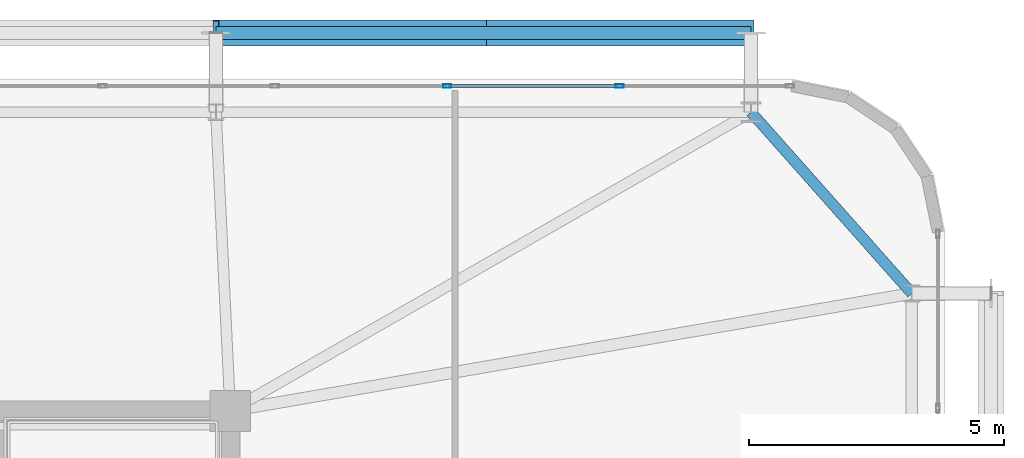
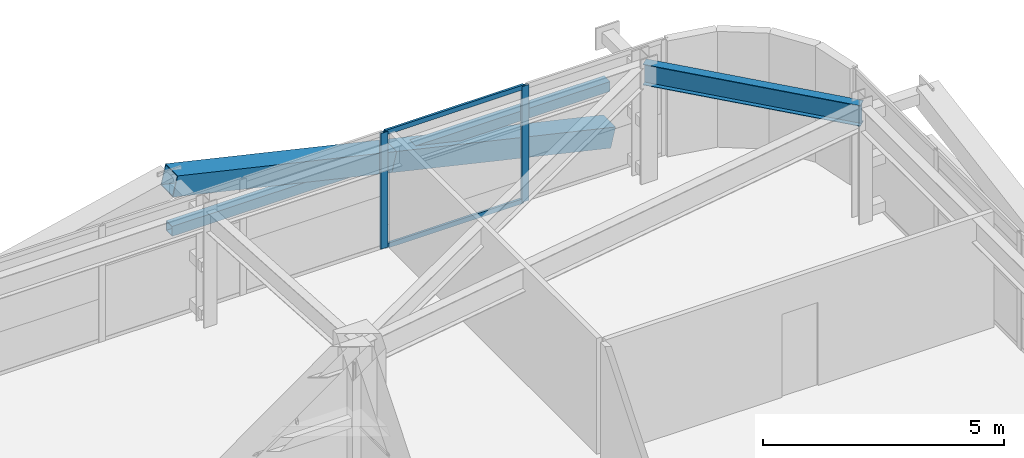
# One storey, part 40 of 59: 7 members, 1 beam, 1 element without a shape of its own.
"""IFC4 building model written with IfcOpenShell, lengths in metres."""

from ifc_helpers import new_model, si_unit, direction, frame, origin, origin_2d, place, context, subcontext, project, spatial, hollow_rectangle, i_section, extrude, source, transform, mapped, material, layer, layer_set, material_profile, profile_set, type_object, element, aggregate, save


model = new_model("IFC4")

# Units and contexts
model_context = context("Model", 3, precision=1e-05, world=origin(), true_north=direction((0.0, 1.0)))
body_context = subcontext(model_context, "Body", "Model", "MODEL_VIEW")
ifc_project = project(units=[si_unit("LENGTHUNIT", "METRE"), si_unit("AREAUNIT", "SQUARE_METRE"), si_unit("VOLUMEUNIT", "CUBIC_METRE"), si_unit("PLANEANGLEUNIT", "RADIAN"), si_unit("MASSUNIT", "GRAM", prefix="KILO")], contexts=[model_context])

# Site, building, storey
site_placement = place(None, origin())
site = spatial("IfcSite", under=ifc_project, at=site_placement, CompositionType="ELEMENT")
building_placement = place(site_placement, origin())
building = spatial("IfcBuilding", under=site, at=building_placement, Name="Taldren Reach Tower", CompositionType="ELEMENT")
storey_placement = place(building_placement, frame((0.0, 0.0, 45.14990234375)))
storey = spatial("IfcBuildingStorey", under=building, at=storey_placement, Name="L13", CompositionType="ELEMENT", Elevation=45.14990234375)

# Beam
ifc_material_1 = material(Name="Steel Gr 350 (350PLUS)", Category="steel")
ifc_material_profile_1 = material_profile(ifc_material_1, i_section(OverallWidth=0.208984375, OverallDepth=0.528076171875, WebThickness=0.009521484375, FlangeThickness=0.01318359375, at=origin_2d()), Name="530UB82.0")
ifc_profile_set_1 = profile_set([ifc_material_profile_1], Name="Steel Gr 350 (350PLUS)")
beam_type = type_object("IfcBeamType", Name="SP-UB530B", PredefinedType="SPANDREL", material=ifc_profile_set_1)
shared_shape_1 = source(origin(), body_context, "Body", "SweptSolid", [
    extrude(i_section(OverallWidth=0.208984375, OverallDepth=0.528076171875, WebThickness=0.009521484375, FlangeThickness=0.01318359375, at=origin_2d()), origin(), (0.0, 0.0, 1.0), 4.74609375),
])
beam_placement = place(storey_placement, frame((64.35009765625, 34.300048828125, 2.666015625), z_axis=(-0.663721843779, 0.747979487747, 0.0), x_axis=(-0.747979487747, -0.663721843779, 0.0)))
element("IfcBeam", 1, at=beam_placement, inside=storey, type_object=beam_type, Name="Perimeter spandrel B1 E3-N6 L13", PredefinedType="SPANDREL", context=body_context, shape_type="MappedRepresentation", body=[
    mapped(shared_shape_1, transform((0.0, 0.0, 0.0), scale=1.0)),
])

# Members
ifc_material_2 = material(Name="Steel Gr 450 (C450L0)", Category="steel")
ifc_material_profile_2 = material_profile(ifc_material_2, hollow_rectangle(XDim=0.510009765625, YDim=0.510009765625, WallThickness=0.02001953125, at=origin_2d()), Name="510x510x20.0SHS")
ifc_profile_set_2 = profile_set([ifc_material_profile_2], Name="Steel Gr 450 (C450L0)")
member_type_1 = type_object("IfcMemberType", Name="MB-EXO508", PredefinedType="BRACE", material=ifc_profile_set_2)
shared_shape_2 = source(origin(), body_context, "Body", "SweptSolid", [
    extrude(hollow_rectangle(XDim=0.510009765625, YDim=0.510009765625, WallThickness=0.02001953125, at=origin_2d()), origin(), (0.0, 0.0, 1.0), 5.37890625),
])
for number, where, z_axis, x_axis, name in (
    (2, (61.199951171875, 39.39990234375, 0.22021484375), (-0.974161966843, 0.0, 0.225850531007), (0.0, -1.0, 0.0), "Exoskeleton Diagrid Brace B1-N5 L13"),
    (3, (55.9599609375, 39.39990234375, 1.43505859375), (-0.97415197996, 0.0, 0.225893603143), (0.0, -1.0, 0.0), "Exoskeleton Diagrid Brace B1-N5 L13"),
):
    element("IfcMember", number, at=place(storey_placement, frame(where, z_axis=z_axis, x_axis=x_axis)), inside=storey, type_object=member_type_1, Name=name, PredefinedType="BRACE", context=body_context, shape_type="MappedRepresentation", body=[
        mapped(shared_shape_2, transform((0.0, 0.0, 0.0), scale=1.0)),
    ])
ifc_material_3 = material(Name="Steel Gr 350 (C350L0)", Category="steel")
ifc_material_profile_3 = material_profile(ifc_material_3, hollow_rectangle(XDim=0.25, YDim=0.25, WallThickness=0.010009765625, at=origin_2d()), Name="250x250x10.0SHS")
ifc_profile_set_3 = profile_set([ifc_material_profile_3], Name="Steel Gr 350 (C350L0)")
member_type_2 = type_object("IfcMemberType", Name="MB-POST250", PredefinedType="POST", material=ifc_profile_set_3)
shared_shape_3 = source(origin(), body_context, "Body", "SweptSolid", [
    extrude(hollow_rectangle(XDim=0.25, YDim=0.25, WallThickness=0.010009765625, at=origin_2d()), origin(), (0.0, 0.0, 1.0), 10.47998046875),
])
member_1_placement = place(storey_placement, frame((50.719970703125, 39.39990234375, 1.43505859375), z_axis=(1.0, 0.0, 0.0), x_axis=(0.0, 1.0, 0.0)))
element("IfcMember", 4, at=member_1_placement, inside=storey, type_object=member_type_2, Name="Exoskeleton mid-height ring chord B1-N5 L13", PredefinedType="POST", context=body_context, shape_type="MappedRepresentation", body=[
    mapped(shared_shape_3, transform((0.0, 0.0, 0.0), scale=1.0)),
])

# Curtain wall, members
ifc_material_4 = material(Name="Aluminium and Low-E Glass Unitised System", Category="aluminium")
ifc_layer = layer(ifc_material_4, 0.159912109375)
ifc_layer_set = layer_set([ifc_layer], Name="Aluminium and Low-E Glass Unitised System")
curtain_wall_type = type_object("IfcCurtainWallType", Name="CW-SYS-2", PredefinedType="NOTDEFINED", material=ifc_layer_set)
curtain_wall_placement = place(storey_placement, origin())
curtain_wall = element("IfcCurtainWall", 5, at=curtain_wall_placement, inside=storey, type_object=curtain_wall_type, Name="Unitised curtain wall CW-L13-N", PredefinedType="NOTDEFINED")
ifc_material_5 = material(Name="Anodised Aluminium 6063-T6", Category="aluminium")
ifc_material_profile_4 = material_profile(ifc_material_5, hollow_rectangle(XDim=0.054931640625, YDim=0.1201171875, WallThickness=0.0029296875, at=origin_2d()), Name="ALU-120x55x3RHS")
ifc_profile_set_4 = profile_set([ifc_material_profile_4], Name="Anodised Aluminium 6063-T6")
member_type_3 = type_object("IfcMemberType", Name="CW-TRN-135", PredefinedType="USERDEFINED", material=ifc_profile_set_4)
shared_shape_4 = source(origin(), body_context, "Body", "SweptSolid", [
    extrude(hollow_rectangle(XDim=0.054931640625, YDim=0.1201171875, WallThickness=0.0029296875, at=origin_2d()), origin(), (0.0, 0.0, 1.0), 3.31005859375),
])
member_2_placement = place(storey_placement, frame((58.592529296875, 38.360107421875, 0.027587890625), z_axis=(-1.0, 0.0, 0.0), x_axis=(0.0, -1.0, 0.0)))
member_2 = element("IfcMember", 6, at=member_2_placement, type_object=member_type_3, Name="CW-2 transom 2.1", ObjectType="TRANSOM", PredefinedType="USERDEFINED", context=body_context, shape_type="MappedRepresentation", body=[
    mapped(shared_shape_4, transform((0.0, 0.0, 0.0), scale=1.0)),
])
member_3_placement = place(storey_placement, frame((58.592529296875, 38.360107421875, 2.902587890625), z_axis=(-1.0, 0.0, 0.0), x_axis=(0.0, -1.0, 0.0)))
member_3 = element("IfcMember", 7, at=member_3_placement, type_object=member_type_3, Name="CW-2 transom 2.2", ObjectType="TRANSOM", PredefinedType="USERDEFINED", context=body_context, shape_type="MappedRepresentation", body=[
    mapped(shared_shape_4, transform((0.0, 0.0, 0.0), scale=1.0)),
])
ifc_material_profile_5 = material_profile(ifc_material_5, hollow_rectangle(XDim=0.06494140625, YDim=0.1650390625, WallThickness=0.00390625, at=origin_2d()), Name="ALU-165x65x4RHS")
ifc_profile_set_5 = profile_set([ifc_material_profile_5], Name="Anodised Aluminium 6063-T6")
member_type_4 = type_object("IfcMemberType", Name="CW-MUL-165", PredefinedType="MULLION", material=ifc_profile_set_5)
shared_shape_5 = source(origin(), body_context, "Body", "SweptSolid", [
    extrude(hollow_rectangle(XDim=0.06494140625, YDim=0.1650390625, WallThickness=0.00390625, at=origin_2d()), origin(), (0.0, 0.0, 1.0), 2.93017578125),
])
member_4_placement = place(storey_placement, frame((58.625, 38.360107421875, 0.0), z_axis=(0.0, 0.0, 1.0), x_axis=(0.0, -1.0, 0.0)))
member_4 = element("IfcMember", 8, at=member_4_placement, type_object=member_type_4, Name="CW-2 mullion 2", PredefinedType="MULLION", context=body_context, shape_type="MappedRepresentation", body=[
    mapped(shared_shape_5, transform((0.0, 0.0, 0.0), scale=1.0)),
])
member_5_placement = place(storey_placement, frame((55.25, 38.360107421875, 0.0), z_axis=(0.0, 0.0, 1.0), x_axis=(0.0, -1.0, 0.0)))
member_5 = element("IfcMember", 9, at=member_5_placement, type_object=member_type_4, Name="CW-2 mullion 3", PredefinedType="MULLION", context=body_context, shape_type="MappedRepresentation", body=[
    mapped(shared_shape_5, transform((0.0, 0.0, 0.0), scale=1.0)),
])
aggregate(curtain_wall, [member_4, member_5, member_2, member_3])

save(model, "model.ifc")
